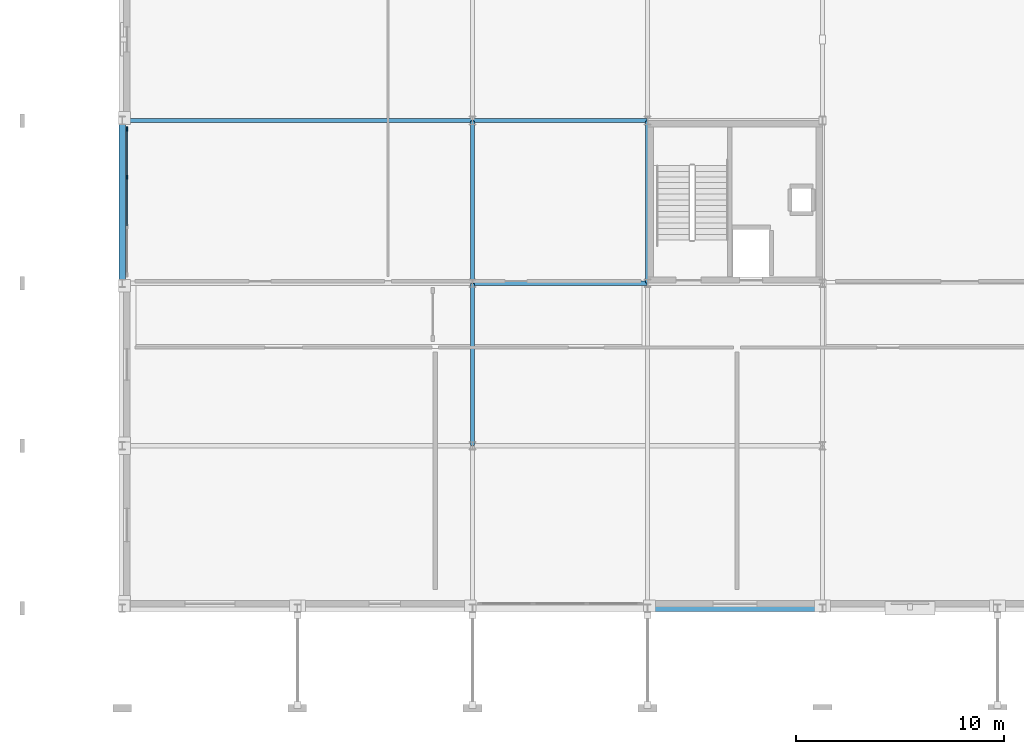
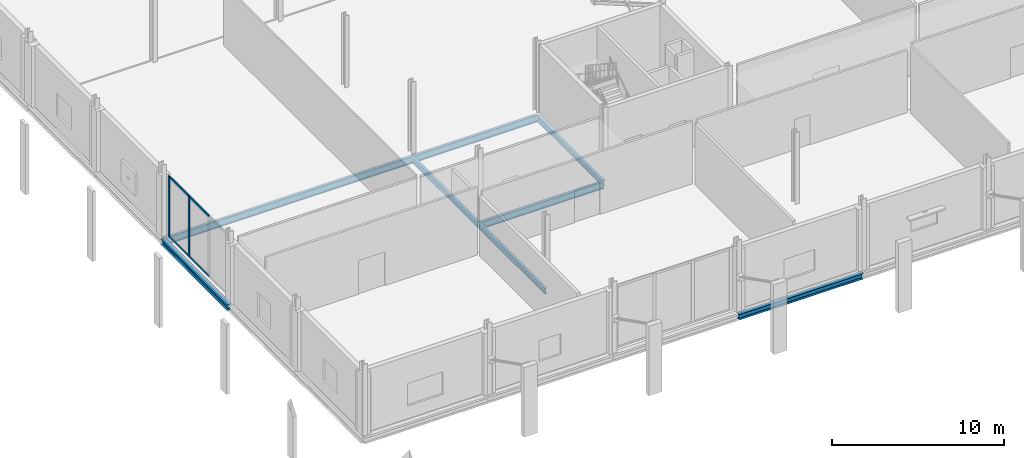
# One storey, part 28 of 105: 8 beams, 6 members, 1 element without a shape of its own.
"""IFC4 building model written with IfcOpenShell, lengths in metres."""

from ifc_helpers import new_model, si_unit, direction, frame, origin, origin_2d, place, context, subcontext, project, spatial, rectangle, i_section, extrude, material, material_profile, profile_set, type_object, element, aggregate, save


model = new_model("IFC4")

# Units and contexts
model_context = context("Model", 3, precision=1e-05, world=origin(), true_north=direction((0.0, 1.0)))
body_context = subcontext(model_context, "Body", "Model", "MODEL_VIEW")
ifc_project = project(units=[si_unit("LENGTHUNIT", "METRE"), si_unit("AREAUNIT", "SQUARE_METRE"), si_unit("VOLUMEUNIT", "CUBIC_METRE"), si_unit("PLANEANGLEUNIT", "RADIAN"), si_unit("MASSUNIT", "GRAM", prefix="KILO")], contexts=[model_context])

# Site, building, storey
site_placement = place(None, origin())
site = spatial("IfcSite", under=ifc_project, at=site_placement, CompositionType="ELEMENT")
building_placement = place(site_placement, origin())
building = spatial("IfcBuilding", under=site, at=building_placement, Name="Nabrawat Pavilion Hospital", CompositionType="ELEMENT")
storey_placement = place(building_placement, frame((0.0, 0.0, 5.10009765625)))
storey = spatial("IfcBuildingStorey", under=building, at=storey_placement, Name="L01", CompositionType="ELEMENT", Elevation=5.10009765625)

# Curtain wall, members
ifc_material_1 = material(Name="Anodised Aluminium", Category="aluminium")
curtain_wall_type = type_object("IfcCurtainWallType", Name="Emergency Concourse Glazed Screen", PredefinedType="USERDEFINED", material=ifc_material_1)
curtain_wall_placement = place(storey_placement, origin())
curtain_wall = element("IfcCurtainWall", 1, at=curtain_wall_placement, inside=storey, type_object=curtain_wall_type, Name="L01 Emergency Concourse Glazed Screen 029", ObjectType="CURTAIN WALL", PredefinedType="USERDEFINED")
ifc_material_profile_1 = material_profile(ifc_material_1, rectangle(XDim=0.070068359375, YDim=0.199951171875, at=origin_2d()), Name="CWM 70x200")
ifc_profile_set_1 = profile_set([ifc_material_profile_1], Name="Anodised Aluminium")
member_type_1 = type_object("IfcMemberType", Name="Emergency Concourse Glazed Screen Mullion CWM 70x200", PredefinedType="MULLION", material=ifc_profile_set_1)
member_1_placement = place(storey_placement, frame((0.219970703125, 20.6767578125, 0.0), z_axis=(0.0, 0.0, 1.0), x_axis=(-1.0, 0.0, 0.0)))
member_1 = element("IfcMember", 2, at=member_1_placement, type_object=member_type_1, Name="CW-ED-01 mullion 3", PredefinedType="MULLION", context=body_context, shape_type="SweptSolid", body=[
    extrude(rectangle(XDim=0.070068359375, YDim=0.199951171875, at=origin_2d()), origin(), (0.0, 0.0, 1.0), 4.329833984375),
])
member_2_placement = place(storey_placement, frame((0.219970703125, 22.9951171875, 0.0), z_axis=(0.0, 0.0, 1.0), x_axis=(-1.0, 0.0, 0.0)))
member_2 = element("IfcMember", 3, at=member_2_placement, type_object=member_type_1, Name="CW-ED-01 mullion 4", PredefinedType="MULLION", context=body_context, shape_type="SweptSolid", body=[
    extrude(rectangle(XDim=0.070068359375, YDim=0.199951171875, at=origin_2d()), origin(), (0.0, 0.0, 1.0), 4.329833984375),
])
ifc_material_profile_2 = material_profile(ifc_material_1, rectangle(XDim=0.070068359375, YDim=0.14990234375, at=origin_2d()), Name="CWT 70x150")
ifc_profile_set_2 = profile_set([ifc_material_profile_2], Name="Anodised Aluminium")
member_type_2 = type_object("IfcMemberType", Name="Emergency Concourse Glazed Screen Transom CWT 70x150", PredefinedType="USERDEFINED", material=ifc_profile_set_2)
member_3_placement = place(storey_placement, frame((0.219970703125, 18.3583984375, 0.034912109375), z_axis=(0.0, 1.0, 0.0), x_axis=(-1.0, 0.0, 0.0)))
member_3 = element("IfcMember", 4, at=member_3_placement, type_object=member_type_2, Name="CW-ED-01 transom 2.1", ObjectType="TRANSOM", PredefinedType="USERDEFINED", context=body_context, shape_type="SweptSolid", body=[
    extrude(rectangle(XDim=0.070068359375, YDim=0.14990234375, at=origin_2d()), origin(), (0.0, 0.0, 1.0), 2.283203125),
])
member_4_placement = place(storey_placement, frame((0.219970703125, 18.3583984375, 4.294921875), z_axis=(0.0, 1.0, 0.0), x_axis=(-1.0, 0.0, 0.0)))
member_4 = element("IfcMember", 5, at=member_4_placement, type_object=member_type_2, Name="CW-ED-01 transom 2.2", ObjectType="TRANSOM", PredefinedType="USERDEFINED", context=body_context, shape_type="SweptSolid", body=[
    extrude(rectangle(XDim=0.070068359375, YDim=0.14990234375, at=origin_2d()), origin(), (0.0, 0.0, 1.0), 2.283203125),
])
member_5_placement = place(storey_placement, frame((0.219970703125, 20.711669921875, 0.034912109375), z_axis=(0.0, 1.0, 0.0), x_axis=(-1.0, 0.0, 0.0)))
member_5 = element("IfcMember", 6, at=member_5_placement, type_object=member_type_2, Name="CW-ED-01 transom 3.1", ObjectType="TRANSOM", PredefinedType="USERDEFINED", context=body_context, shape_type="SweptSolid", body=[
    extrude(rectangle(XDim=0.070068359375, YDim=0.14990234375, at=origin_2d()), origin(), (0.0, 0.0, 1.0), 2.248291015625),
])
member_6_placement = place(storey_placement, frame((0.219970703125, 20.711669921875, 4.294921875), z_axis=(0.0, 1.0, 0.0), x_axis=(-1.0, 0.0, 0.0)))
member_6 = element("IfcMember", 7, at=member_6_placement, type_object=member_type_2, Name="CW-ED-01 transom 3.2", ObjectType="TRANSOM", PredefinedType="USERDEFINED", context=body_context, shape_type="SweptSolid", body=[
    extrude(rectangle(XDim=0.070068359375, YDim=0.14990234375, at=origin_2d()), origin(), (0.0, 0.0, 1.0), 2.248291015625),
])
aggregate(curtain_wall, [member_1, member_2, member_3, member_4, member_5, member_6])

# Beams
ifc_material_2 = material(Name="Steel S355", Category="steel")
ifc_material_profile_3 = material_profile(ifc_material_2, i_section(OverallWidth=0.300048828125, OverallDepth=0.389892578125, WebThickness=0.010986328125, FlangeThickness=0.01904296875, FilletRadius=0.027099609375, at=origin_2d()), Name="HEA 400")
ifc_profile_set_3 = profile_set([ifc_material_profile_3], Name="Steel S355")
beam_type_1 = type_object("IfcBeamType", Name="Perimeter Moment Spandrel Beam HEA 400", PredefinedType="SPANDREL", material=ifc_profile_set_3)
beam_1_placement = place(storey_placement, frame((25.219970703125, 0.0, -0.445068359375), z_axis=(1.0, 0.0, 0.0), x_axis=(0.0, 1.0, 0.0)))
element("IfcBeam", 8, at=beam_1_placement, inside=storey, type_object=beam_type_1, Name="L01 Primary X Girder 452", PredefinedType="SPANDREL", context=body_context, shape_type="SweptSolid", body=[
    extrude(i_section(OverallWidth=0.300048828125, OverallDepth=0.389892578125, WebThickness=0.010986328125, FlangeThickness=0.01904296875, FilletRadius=0.027099609375, at=origin_2d()), origin(), (0.0, 0.0, 1.0), 8.360107421875),
])
beam_2_placement = place(storey_placement, frame((0.0, 15.6201171875, -0.445068359375), z_axis=(0.0, 1.0, 0.0), x_axis=(-1.0, 0.0, 0.0)))
element("IfcBeam", 9, at=beam_2_placement, inside=storey, type_object=beam_type_1, Name="L01 Primary Y Beam 696", PredefinedType="SPANDREL", context=body_context, shape_type="SweptSolid", body=[
    extrude(i_section(OverallWidth=0.300048828125, OverallDepth=0.389892578125, WebThickness=0.010986328125, FlangeThickness=0.01904296875, FilletRadius=0.027099609375, at=origin_2d()), origin(), (0.0, 0.0, 1.0), 7.759765625),
])
ifc_material_profile_4 = material_profile(ifc_material_2, i_section(OverallWidth=0.199951171875, OverallDepth=0.5, WebThickness=0.01025390625, FlangeThickness=0.01611328125, FilletRadius=0.02099609375, at=origin_2d()), Name="IPE 500")
ifc_profile_set_4 = profile_set([ifc_material_profile_4], Name="Steel S355")
beam_type_2 = type_object("IfcBeamType", Name="Standard X Floor Girder IPE 500", PredefinedType="USERDEFINED", material=ifc_profile_set_4)
beam_3_placement = place(storey_placement, frame((16.820068359375, 15.60009765625, -0.5), z_axis=(1.0, 0.0, 0.0), x_axis=(0.0, 1.0, 0.0)))
element("IfcBeam", 10, at=beam_3_placement, inside=storey, type_object=beam_type_2, Name="L01 Primary X Girder 473", ObjectType="GIRDER", PredefinedType="USERDEFINED", context=body_context, shape_type="SweptSolid", body=[
    extrude(i_section(OverallWidth=0.199951171875, OverallDepth=0.5, WebThickness=0.01025390625, FlangeThickness=0.01611328125, FilletRadius=0.02099609375, at=origin_2d()), origin(), (0.0, 0.0, 1.0), 8.35986328125),
])
beam_4_placement = place(storey_placement, frame((0.02001953125, 23.39990234375, -0.5), z_axis=(1.0, 0.0, 0.0), x_axis=(0.0, 1.0, 0.0)))
element("IfcBeam", 11, at=beam_4_placement, inside=storey, type_object=beam_type_2, Name="L01 Primary X Girder 493", ObjectType="GIRDER", PredefinedType="USERDEFINED", context=body_context, shape_type="SweptSolid", body=[
    extrude(i_section(OverallWidth=0.199951171875, OverallDepth=0.5, WebThickness=0.01025390625, FlangeThickness=0.01611328125, FilletRadius=0.02099609375, at=origin_2d()), origin(), (0.0, 0.0, 1.0), 16.760009765625),
])
beam_5_placement = place(storey_placement, frame((16.820068359375, 23.39990234375, -0.5), z_axis=(1.0, 0.0, 0.0), x_axis=(0.0, 1.0, 0.0)))
element("IfcBeam", 12, at=beam_5_placement, inside=storey, type_object=beam_type_2, Name="L01 Primary X Girder 494", ObjectType="GIRDER", PredefinedType="USERDEFINED", context=body_context, shape_type="SweptSolid", body=[
    extrude(i_section(OverallWidth=0.199951171875, OverallDepth=0.5, WebThickness=0.01025390625, FlangeThickness=0.01611328125, FilletRadius=0.02099609375, at=origin_2d()), origin(), (0.0, 0.0, 1.0), 8.35986328125),
])
ifc_material_profile_5 = material_profile(ifc_material_2, i_section(OverallWidth=0.179931640625, OverallDepth=0.39990234375, WebThickness=0.008544921875, FlangeThickness=0.013427734375, FilletRadius=0.02099609375, at=origin_2d()), Name="IPE 400")
ifc_profile_set_5 = profile_set([ifc_material_profile_5], Name="Steel S355")
beam_type_3 = type_object("IfcBeamType", Name="Standard Y Floor Beam IPE 400", PredefinedType="BEAM", material=ifc_profile_set_5)
beam_6_placement = place(storey_placement, frame((16.800048828125, 7.820068359375, -0.4501953125), z_axis=(0.0, 1.0, 0.0), x_axis=(-1.0, 0.0, 0.0)))
element("IfcBeam", 13, at=beam_6_placement, inside=storey, type_object=beam_type_3, Name="L01 Primary Y Beam 710", PredefinedType="BEAM", context=body_context, shape_type="SweptSolid", body=[
    extrude(i_section(OverallWidth=0.179931640625, OverallDepth=0.39990234375, WebThickness=0.008544921875, FlangeThickness=0.013427734375, FilletRadius=0.02099609375, at=origin_2d()), origin(), (0.0, 0.0, 1.0), 7.760009765625),
])
for number, where, z_axis, x_axis, name in (
    (14, (16.800048828125, 15.6201171875, -0.4501953125), (0.0, 1.0, 0.0), (-1.0, 0.0, 0.0), "L01 Primary Y Beam 711"),
    (15, (25.199951171875, 15.6201171875, -0.4501953125), (0.0, 1.0, 0.0), (-1.0, 0.0, 0.0), "L01 Primary Y Beam 725"),
):
    element("IfcBeam", number, at=place(storey_placement, frame(where, z_axis=z_axis, x_axis=x_axis)), inside=storey, type_object=beam_type_3, Name=name, PredefinedType="BEAM", context=body_context, shape_type="SweptSolid", body=[
        extrude(i_section(OverallWidth=0.179931640625, OverallDepth=0.39990234375, WebThickness=0.008544921875, FlangeThickness=0.013427734375, FilletRadius=0.02099609375, at=origin_2d()), origin(), (0.0, 0.0, 1.0), 7.759765625),
    ])

save(model, "model.ifc")
